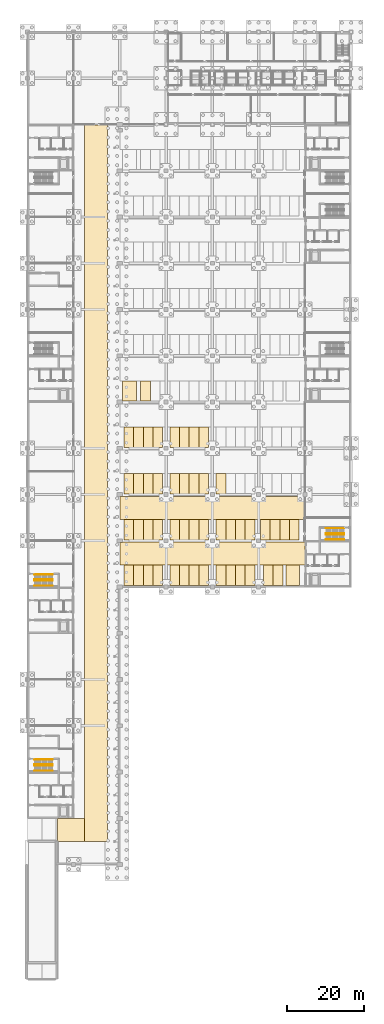
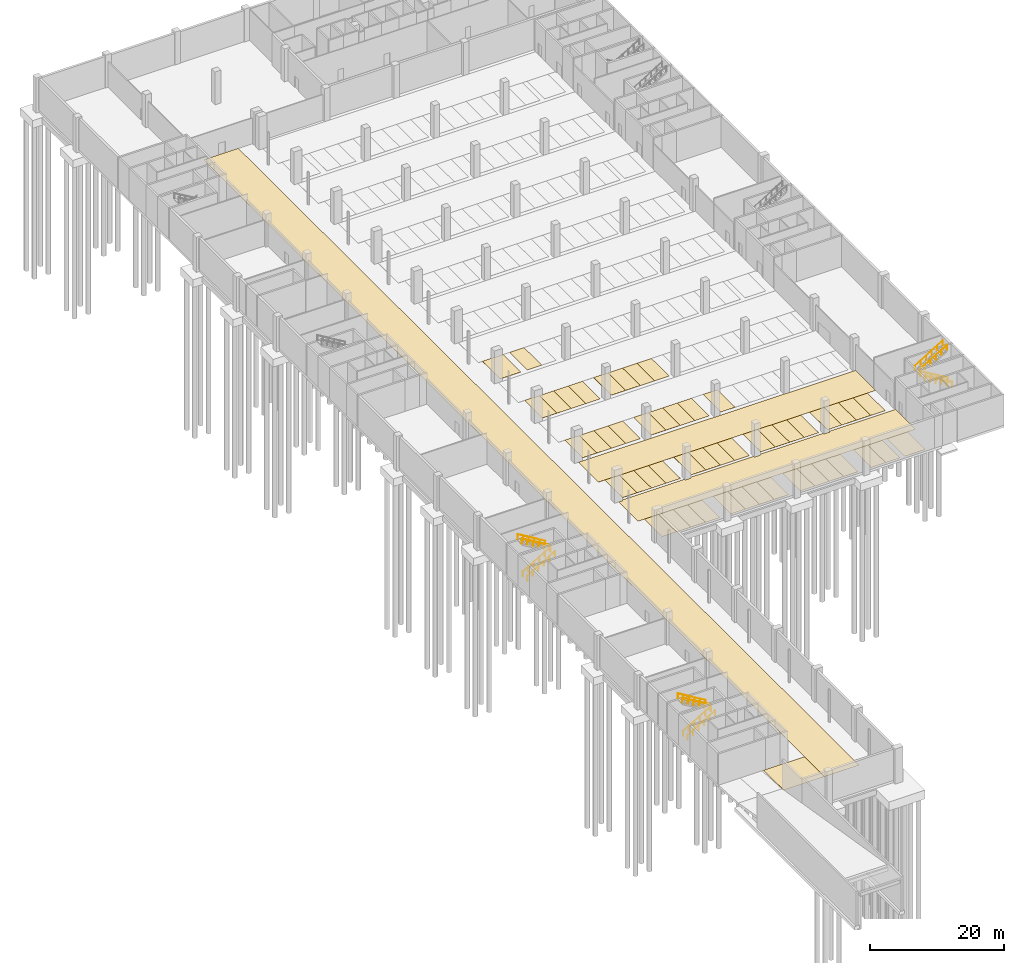
# One storey, part 30 of 34: 54 coverings, 12 railings.
"""IFC4 building model written with IfcOpenShell, lengths in metres."""

from ifc_helpers import new_model, si_unit, direction, frame, origin, origin_2d, place, context, subcontext, project, spatial, polyline, circle, outline, extrude, material, layer, layer_set, type_object, element, save


model = new_model("IFC4")

# Units and contexts
model_context = context("Model", 3, precision=1e-05, world=origin(), true_north=direction((0.0, 1.0)))
body_context = subcontext(model_context, "Body", "Model", "MODEL_VIEW")
ifc_project = project(units=[si_unit("LENGTHUNIT", "METRE"), si_unit("AREAUNIT", "SQUARE_METRE"), si_unit("VOLUMEUNIT", "CUBIC_METRE"), si_unit("PLANEANGLEUNIT", "RADIAN"), si_unit("MASSUNIT", "GRAM", prefix="KILO")], contexts=[model_context])

# Site, building, storey
site_placement = place(None, origin())
site = spatial("IfcSite", under=ifc_project, at=site_placement, CompositionType="ELEMENT")
building_placement = place(site_placement, origin())
building = spatial("IfcBuilding", under=site, at=building_placement, Name="Lilac Gate Convention Centre", CompositionType="ELEMENT")
storey_placement = place(building_placement, frame((0.0, 0.0, -6.0)))
storey = spatial("IfcBuildingStorey", under=building, at=storey_placement, Name="B1", CompositionType="ELEMENT", Elevation=-6.0)

# Coverings
ifc_material_1 = material(Name="Floor marking paint")
ifc_layer_1 = layer(ifc_material_1, 0.010009765625)
ifc_layer_set_1 = layer_set([ifc_layer_1], Name="Floor marking paint")
covering_type_1 = type_object("IfcCoveringType", Name="Accessible parking bay marking 3600 x 5300", PredefinedType="FLOORING", material=ifc_layer_set_1)
covering_1_placement = place(storey_placement, origin())
element("IfcCovering", 1, at=covering_1_placement, inside=storey, type_object=covering_type_1, Name="Accessible parking bay marking 1", PredefinedType="FLOORING", context=body_context, shape_type="SweptSolid", body=[
    extrude(outline(polyline([(73.050048828125, 102.39990234375), (76.64990234375, 102.39990234375), (76.64990234375, 107.699951171875), (73.050048828125, 107.699951171875), (73.050048828125, 102.39990234375)])), origin(), (0.0, 0.0, 1.0), 0.010009765625),
])
covering_2_placement = place(storey_placement, origin())
element("IfcCovering", 2, at=covering_2_placement, inside=storey, type_object=covering_type_1, Name="Accessible parking bay marking 2", PredefinedType="FLOORING", context=body_context, shape_type="SweptSolid", body=[
    extrude(outline(polyline([(30.699951171875, 150.199951171875), (34.300048828125, 150.199951171875), (34.300048828125, 155.5), (30.699951171875, 155.5), (30.699951171875, 150.199951171875)])), origin(), (0.0, 0.0, 1.0), 0.010009765625),
])
ifc_layer_2 = layer(ifc_material_1, 0.010009765625)
ifc_layer_set_2 = layer_set([ifc_layer_2], Name="Floor marking paint")
covering_type_2 = type_object("IfcCoveringType", Name="Parking bay marking 2500 x 5300", PredefinedType="FLOORING", material=ifc_layer_set_2)
covering_3_placement = place(storey_placement, origin())
element("IfcCovering", 3, at=covering_3_placement, inside=storey, type_object=covering_type_2, Name="Parking bay marking 1", PredefinedType="FLOORING", context=body_context, shape_type="SweptSolid", body=[
    extrude(outline(polyline([(31.10009765625, 102.39990234375), (33.60009765625, 102.39990234375), (33.60009765625, 107.699951171875), (31.10009765625, 107.699951171875), (31.10009765625, 102.39990234375)])), origin(), (0.0, 0.0, 1.0), 0.010009765625),
])
covering_4_placement = place(storey_placement, origin())
element("IfcCovering", 4, at=covering_4_placement, inside=storey, type_object=covering_type_2, Name="Parking bay marking 2", PredefinedType="FLOORING", context=body_context, shape_type="SweptSolid", body=[
    extrude(outline(polyline([(33.60009765625, 102.39990234375), (36.10009765625, 102.39990234375), (36.10009765625, 107.699951171875), (33.60009765625, 107.699951171875), (33.60009765625, 102.39990234375)])), origin(), (0.0, 0.0, 1.0), 0.010009765625),
])
covering_5_placement = place(storey_placement, origin())
element("IfcCovering", 5, at=covering_5_placement, inside=storey, type_object=covering_type_2, Name="Parking bay marking 3", PredefinedType="FLOORING", context=body_context, shape_type="SweptSolid", body=[
    extrude(outline(polyline([(36.10009765625, 102.39990234375), (38.60009765625, 102.39990234375), (38.60009765625, 107.699951171875), (36.10009765625, 107.699951171875), (36.10009765625, 102.39990234375)])), origin(), (0.0, 0.0, 1.0), 0.010009765625),
])
covering_6_placement = place(storey_placement, origin())
element("IfcCovering", 6, at=covering_6_placement, inside=storey, type_object=covering_type_2, Name="Parking bay marking 4", PredefinedType="FLOORING", context=body_context, shape_type="SweptSolid", body=[
    extrude(outline(polyline([(38.60009765625, 102.39990234375), (41.10009765625, 102.39990234375), (41.10009765625, 107.699951171875), (38.60009765625, 107.699951171875), (38.60009765625, 102.39990234375)])), origin(), (0.0, 0.0, 1.0), 0.010009765625),
])
covering_7_placement = place(storey_placement, origin())
element("IfcCovering", 7, at=covering_7_placement, inside=storey, type_object=covering_type_2, Name="Parking bay marking 5", PredefinedType="FLOORING", context=body_context, shape_type="SweptSolid", body=[
    extrude(outline(polyline([(43.0, 102.39990234375), (45.5, 102.39990234375), (45.5, 107.699951171875), (43.0, 107.699951171875), (43.0, 102.39990234375)])), origin(), (0.0, 0.0, 1.0), 0.010009765625),
])
covering_8_placement = place(storey_placement, origin())
element("IfcCovering", 8, at=covering_8_placement, inside=storey, type_object=covering_type_2, Name="Parking bay marking 6", PredefinedType="FLOORING", context=body_context, shape_type="SweptSolid", body=[
    extrude(outline(polyline([(45.5, 102.39990234375), (48.0, 102.39990234375), (48.0, 107.699951171875), (45.5, 107.699951171875), (45.5, 102.39990234375)])), origin(), (0.0, 0.0, 1.0), 0.010009765625),
])
covering_9_placement = place(storey_placement, origin())
element("IfcCovering", 9, at=covering_9_placement, inside=storey, type_object=covering_type_2, Name="Parking bay marking 7", PredefinedType="FLOORING", context=body_context, shape_type="SweptSolid", body=[
    extrude(outline(polyline([(48.0, 102.39990234375), (50.5, 102.39990234375), (50.5, 107.699951171875), (48.0, 107.699951171875), (48.0, 102.39990234375)])), origin(), (0.0, 0.0, 1.0), 0.010009765625),
])
covering_10_placement = place(storey_placement, origin())
element("IfcCovering", 10, at=covering_10_placement, inside=storey, type_object=covering_type_2, Name="Parking bay marking 8", PredefinedType="FLOORING", context=body_context, shape_type="SweptSolid", body=[
    extrude(outline(polyline([(50.5, 102.39990234375), (53.0, 102.39990234375), (53.0, 107.699951171875), (50.5, 107.699951171875), (50.5, 102.39990234375)])), origin(), (0.0, 0.0, 1.0), 0.010009765625),
])
covering_11_placement = place(storey_placement, origin())
element("IfcCovering", 11, at=covering_11_placement, inside=storey, type_object=covering_type_2, Name="Parking bay marking 9", PredefinedType="FLOORING", context=body_context, shape_type="SweptSolid", body=[
    extrude(outline(polyline([(55.0, 102.39990234375), (57.5, 102.39990234375), (57.5, 107.699951171875), (55.0, 107.699951171875), (55.0, 102.39990234375)])), origin(), (0.0, 0.0, 1.0), 0.010009765625),
])
covering_12_placement = place(storey_placement, origin())
element("IfcCovering", 12, at=covering_12_placement, inside=storey, type_object=covering_type_2, Name="Parking bay marking 10", PredefinedType="FLOORING", context=body_context, shape_type="SweptSolid", body=[
    extrude(outline(polyline([(57.5, 102.39990234375), (60.0, 102.39990234375), (60.0, 107.699951171875), (57.5, 107.699951171875), (57.5, 102.39990234375)])), origin(), (0.0, 0.0, 1.0), 0.010009765625),
])
covering_13_placement = place(storey_placement, origin())
element("IfcCovering", 13, at=covering_13_placement, inside=storey, type_object=covering_type_2, Name="Parking bay marking 11", PredefinedType="FLOORING", context=body_context, shape_type="SweptSolid", body=[
    extrude(outline(polyline([(60.0, 102.39990234375), (62.5, 102.39990234375), (62.5, 107.699951171875), (60.0, 107.699951171875), (60.0, 102.39990234375)])), origin(), (0.0, 0.0, 1.0), 0.010009765625),
])
covering_14_placement = place(storey_placement, origin())
element("IfcCovering", 14, at=covering_14_placement, inside=storey, type_object=covering_type_2, Name="Parking bay marking 12", PredefinedType="FLOORING", context=body_context, shape_type="SweptSolid", body=[
    extrude(outline(polyline([(62.5, 102.39990234375), (65.0, 102.39990234375), (65.0, 107.699951171875), (62.5, 107.699951171875), (62.5, 102.39990234375)])), origin(), (0.0, 0.0, 1.0), 0.010009765625),
])
covering_15_placement = place(storey_placement, origin())
element("IfcCovering", 15, at=covering_15_placement, inside=storey, type_object=covering_type_2, Name="Parking bay marking 13", PredefinedType="FLOORING", context=body_context, shape_type="SweptSolid", body=[
    extrude(outline(polyline([(67.27490234375, 102.39990234375), (69.77490234375, 102.39990234375), (69.77490234375, 107.699951171875), (67.27490234375, 107.699951171875), (67.27490234375, 102.39990234375)])), origin(), (0.0, 0.0, 1.0), 0.010009765625),
])
covering_16_placement = place(storey_placement, origin())
element("IfcCovering", 16, at=covering_16_placement, inside=storey, type_object=covering_type_2, Name="Parking bay marking 14", PredefinedType="FLOORING", context=body_context, shape_type="SweptSolid", body=[
    extrude(outline(polyline([(69.77490234375, 102.39990234375), (72.27490234375, 102.39990234375), (72.27490234375, 107.699951171875), (69.77490234375, 107.699951171875), (69.77490234375, 102.39990234375)])), origin(), (0.0, 0.0, 1.0), 0.010009765625),
])
covering_17_placement = place(storey_placement, origin())
element("IfcCovering", 17, at=covering_17_placement, inside=storey, type_object=covering_type_2, Name="Parking bay marking 15", PredefinedType="FLOORING", context=body_context, shape_type="SweptSolid", body=[
    extrude(outline(polyline([(31.10009765625, 114.199951171875), (33.60009765625, 114.199951171875), (33.60009765625, 119.5), (31.10009765625, 119.5), (31.10009765625, 114.199951171875)])), origin(), (0.0, 0.0, 1.0), 0.010009765625),
])
covering_18_placement = place(storey_placement, origin())
element("IfcCovering", 18, at=covering_18_placement, inside=storey, type_object=covering_type_2, Name="Parking bay marking 16", PredefinedType="FLOORING", context=body_context, shape_type="SweptSolid", body=[
    extrude(outline(polyline([(33.60009765625, 114.199951171875), (36.10009765625, 114.199951171875), (36.10009765625, 119.5), (33.60009765625, 119.5), (33.60009765625, 114.199951171875)])), origin(), (0.0, 0.0, 1.0), 0.010009765625),
])
covering_19_placement = place(storey_placement, origin())
element("IfcCovering", 19, at=covering_19_placement, inside=storey, type_object=covering_type_2, Name="Parking bay marking 17", PredefinedType="FLOORING", context=body_context, shape_type="SweptSolid", body=[
    extrude(outline(polyline([(36.10009765625, 114.199951171875), (38.60009765625, 114.199951171875), (38.60009765625, 119.5), (36.10009765625, 119.5), (36.10009765625, 114.199951171875)])), origin(), (0.0, 0.0, 1.0), 0.010009765625),
])
covering_20_placement = place(storey_placement, origin())
element("IfcCovering", 20, at=covering_20_placement, inside=storey, type_object=covering_type_2, Name="Parking bay marking 18", PredefinedType="FLOORING", context=body_context, shape_type="SweptSolid", body=[
    extrude(outline(polyline([(38.60009765625, 114.199951171875), (41.10009765625, 114.199951171875), (41.10009765625, 119.5), (38.60009765625, 119.5), (38.60009765625, 114.199951171875)])), origin(), (0.0, 0.0, 1.0), 0.010009765625),
])
covering_21_placement = place(storey_placement, origin())
element("IfcCovering", 21, at=covering_21_placement, inside=storey, type_object=covering_type_2, Name="Parking bay marking 19", PredefinedType="FLOORING", context=body_context, shape_type="SweptSolid", body=[
    extrude(outline(polyline([(43.0, 114.199951171875), (45.5, 114.199951171875), (45.5, 119.5), (43.0, 119.5), (43.0, 114.199951171875)])), origin(), (0.0, 0.0, 1.0), 0.010009765625),
])
covering_22_placement = place(storey_placement, origin())
element("IfcCovering", 22, at=covering_22_placement, inside=storey, type_object=covering_type_2, Name="Parking bay marking 20", PredefinedType="FLOORING", context=body_context, shape_type="SweptSolid", body=[
    extrude(outline(polyline([(45.5, 114.199951171875), (48.0, 114.199951171875), (48.0, 119.5), (45.5, 119.5), (45.5, 114.199951171875)])), origin(), (0.0, 0.0, 1.0), 0.010009765625),
])
covering_23_placement = place(storey_placement, origin())
element("IfcCovering", 23, at=covering_23_placement, inside=storey, type_object=covering_type_2, Name="Parking bay marking 21", PredefinedType="FLOORING", context=body_context, shape_type="SweptSolid", body=[
    extrude(outline(polyline([(48.0, 114.199951171875), (50.5, 114.199951171875), (50.5, 119.5), (48.0, 119.5), (48.0, 114.199951171875)])), origin(), (0.0, 0.0, 1.0), 0.010009765625),
])
covering_24_placement = place(storey_placement, origin())
element("IfcCovering", 24, at=covering_24_placement, inside=storey, type_object=covering_type_2, Name="Parking bay marking 22", PredefinedType="FLOORING", context=body_context, shape_type="SweptSolid", body=[
    extrude(outline(polyline([(50.5, 114.199951171875), (53.0, 114.199951171875), (53.0, 119.5), (50.5, 119.5), (50.5, 114.199951171875)])), origin(), (0.0, 0.0, 1.0), 0.010009765625),
])
covering_25_placement = place(storey_placement, origin())
element("IfcCovering", 25, at=covering_25_placement, inside=storey, type_object=covering_type_2, Name="Parking bay marking 23", PredefinedType="FLOORING", context=body_context, shape_type="SweptSolid", body=[
    extrude(outline(polyline([(55.0, 114.199951171875), (57.5, 114.199951171875), (57.5, 119.5), (55.0, 119.5), (55.0, 114.199951171875)])), origin(), (0.0, 0.0, 1.0), 0.010009765625),
])
covering_26_placement = place(storey_placement, origin())
element("IfcCovering", 26, at=covering_26_placement, inside=storey, type_object=covering_type_2, Name="Parking bay marking 24", PredefinedType="FLOORING", context=body_context, shape_type="SweptSolid", body=[
    extrude(outline(polyline([(57.5, 114.199951171875), (60.0, 114.199951171875), (60.0, 119.5), (57.5, 119.5), (57.5, 114.199951171875)])), origin(), (0.0, 0.0, 1.0), 0.010009765625),
])
covering_27_placement = place(storey_placement, origin())
element("IfcCovering", 27, at=covering_27_placement, inside=storey, type_object=covering_type_2, Name="Parking bay marking 25", PredefinedType="FLOORING", context=body_context, shape_type="SweptSolid", body=[
    extrude(outline(polyline([(60.0, 114.199951171875), (62.5, 114.199951171875), (62.5, 119.5), (60.0, 119.5), (60.0, 114.199951171875)])), origin(), (0.0, 0.0, 1.0), 0.010009765625),
])
covering_28_placement = place(storey_placement, origin())
element("IfcCovering", 28, at=covering_28_placement, inside=storey, type_object=covering_type_2, Name="Parking bay marking 26", PredefinedType="FLOORING", context=body_context, shape_type="SweptSolid", body=[
    extrude(outline(polyline([(62.5, 114.199951171875), (65.0, 114.199951171875), (65.0, 119.5), (62.5, 119.5), (62.5, 114.199951171875)])), origin(), (0.0, 0.0, 1.0), 0.010009765625),
])
covering_29_placement = place(storey_placement, origin())
element("IfcCovering", 29, at=covering_29_placement, inside=storey, type_object=covering_type_2, Name="Parking bay marking 27", PredefinedType="FLOORING", context=body_context, shape_type="SweptSolid", body=[
    extrude(outline(polyline([(66.5, 114.199951171875), (69.0, 114.199951171875), (69.0, 119.5), (66.5, 119.5), (66.5, 114.199951171875)])), origin(), (0.0, 0.0, 1.0), 0.010009765625),
])
covering_30_placement = place(storey_placement, origin())
element("IfcCovering", 30, at=covering_30_placement, inside=storey, type_object=covering_type_2, Name="Parking bay marking 28", PredefinedType="FLOORING", context=body_context, shape_type="SweptSolid", body=[
    extrude(outline(polyline([(69.0, 114.199951171875), (71.5, 114.199951171875), (71.5, 119.5), (69.0, 119.5), (69.0, 114.199951171875)])), origin(), (0.0, 0.0, 1.0), 0.010009765625),
])
covering_31_placement = place(storey_placement, origin())
element("IfcCovering", 31, at=covering_31_placement, inside=storey, type_object=covering_type_2, Name="Parking bay marking 29", PredefinedType="FLOORING", context=body_context, shape_type="SweptSolid", body=[
    extrude(outline(polyline([(71.5, 114.199951171875), (74.0, 114.199951171875), (74.0, 119.5), (71.5, 119.5), (71.5, 114.199951171875)])), origin(), (0.0, 0.0, 1.0), 0.010009765625),
])
covering_32_placement = place(storey_placement, origin())
element("IfcCovering", 32, at=covering_32_placement, inside=storey, type_object=covering_type_2, Name="Parking bay marking 30", PredefinedType="FLOORING", context=body_context, shape_type="SweptSolid", body=[
    extrude(outline(polyline([(74.0, 114.199951171875), (76.5, 114.199951171875), (76.5, 119.5), (74.0, 119.5), (74.0, 114.199951171875)])), origin(), (0.0, 0.0, 1.0), 0.010009765625),
])
covering_33_placement = place(storey_placement, origin())
element("IfcCovering", 33, at=covering_33_placement, inside=storey, type_object=covering_type_2, Name="Parking bay marking 31", PredefinedType="FLOORING", context=body_context, shape_type="SweptSolid", body=[
    extrude(outline(polyline([(31.10009765625, 126.199951171875), (33.60009765625, 126.199951171875), (33.60009765625, 131.5), (31.10009765625, 131.5), (31.10009765625, 126.199951171875)])), origin(), (0.0, 0.0, 1.0), 0.010009765625),
])
covering_34_placement = place(storey_placement, origin())
element("IfcCovering", 34, at=covering_34_placement, inside=storey, type_object=covering_type_2, Name="Parking bay marking 32", PredefinedType="FLOORING", context=body_context, shape_type="SweptSolid", body=[
    extrude(outline(polyline([(33.60009765625, 126.199951171875), (36.10009765625, 126.199951171875), (36.10009765625, 131.5), (33.60009765625, 131.5), (33.60009765625, 126.199951171875)])), origin(), (0.0, 0.0, 1.0), 0.010009765625),
])
covering_35_placement = place(storey_placement, origin())
element("IfcCovering", 35, at=covering_35_placement, inside=storey, type_object=covering_type_2, Name="Parking bay marking 33", PredefinedType="FLOORING", context=body_context, shape_type="SweptSolid", body=[
    extrude(outline(polyline([(36.10009765625, 126.199951171875), (38.60009765625, 126.199951171875), (38.60009765625, 131.5), (36.10009765625, 131.5), (36.10009765625, 126.199951171875)])), origin(), (0.0, 0.0, 1.0), 0.010009765625),
])
covering_36_placement = place(storey_placement, origin())
element("IfcCovering", 36, at=covering_36_placement, inside=storey, type_object=covering_type_2, Name="Parking bay marking 34", PredefinedType="FLOORING", context=body_context, shape_type="SweptSolid", body=[
    extrude(outline(polyline([(38.60009765625, 126.199951171875), (41.10009765625, 126.199951171875), (41.10009765625, 131.5), (38.60009765625, 131.5), (38.60009765625, 126.199951171875)])), origin(), (0.0, 0.0, 1.0), 0.010009765625),
])
covering_37_placement = place(storey_placement, origin())
element("IfcCovering", 37, at=covering_37_placement, inside=storey, type_object=covering_type_2, Name="Parking bay marking 35", PredefinedType="FLOORING", context=body_context, shape_type="SweptSolid", body=[
    extrude(outline(polyline([(43.0, 126.199951171875), (45.5, 126.199951171875), (45.5, 131.5), (43.0, 131.5), (43.0, 126.199951171875)])), origin(), (0.0, 0.0, 1.0), 0.010009765625),
])
covering_38_placement = place(storey_placement, origin())
element("IfcCovering", 38, at=covering_38_placement, inside=storey, type_object=covering_type_2, Name="Parking bay marking 36", PredefinedType="FLOORING", context=body_context, shape_type="SweptSolid", body=[
    extrude(outline(polyline([(45.5, 126.199951171875), (48.0, 126.199951171875), (48.0, 131.5), (45.5, 131.5), (45.5, 126.199951171875)])), origin(), (0.0, 0.0, 1.0), 0.010009765625),
])
covering_39_placement = place(storey_placement, origin())
element("IfcCovering", 39, at=covering_39_placement, inside=storey, type_object=covering_type_2, Name="Parking bay marking 37", PredefinedType="FLOORING", context=body_context, shape_type="SweptSolid", body=[
    extrude(outline(polyline([(48.0, 126.199951171875), (50.5, 126.199951171875), (50.5, 131.5), (48.0, 131.5), (48.0, 126.199951171875)])), origin(), (0.0, 0.0, 1.0), 0.010009765625),
])
covering_40_placement = place(storey_placement, origin())
element("IfcCovering", 40, at=covering_40_placement, inside=storey, type_object=covering_type_2, Name="Parking bay marking 38", PredefinedType="FLOORING", context=body_context, shape_type="SweptSolid", body=[
    extrude(outline(polyline([(50.5, 126.199951171875), (53.0, 126.199951171875), (53.0, 131.5), (50.5, 131.5), (50.5, 126.199951171875)])), origin(), (0.0, 0.0, 1.0), 0.010009765625),
])
covering_41_placement = place(storey_placement, origin())
element("IfcCovering", 41, at=covering_41_placement, inside=storey, type_object=covering_type_2, Name="Parking bay marking 39", PredefinedType="FLOORING", context=body_context, shape_type="SweptSolid", body=[
    extrude(outline(polyline([(55.0, 126.199951171875), (57.5, 126.199951171875), (57.5, 131.5), (55.0, 131.5), (55.0, 126.199951171875)])), origin(), (0.0, 0.0, 1.0), 0.010009765625),
])
covering_42_placement = place(storey_placement, origin())
element("IfcCovering", 42, at=covering_42_placement, inside=storey, type_object=covering_type_2, Name="Parking bay marking 47", PredefinedType="FLOORING", context=body_context, shape_type="SweptSolid", body=[
    extrude(outline(polyline([(31.10009765625, 138.199951171875), (33.60009765625, 138.199951171875), (33.60009765625, 143.5), (31.10009765625, 143.5), (31.10009765625, 138.199951171875)])), origin(), (0.0, 0.0, 1.0), 0.010009765625),
])
covering_43_placement = place(storey_placement, origin())
element("IfcCovering", 43, at=covering_43_placement, inside=storey, type_object=covering_type_2, Name="Parking bay marking 48", PredefinedType="FLOORING", context=body_context, shape_type="SweptSolid", body=[
    extrude(outline(polyline([(33.60009765625, 138.199951171875), (36.10009765625, 138.199951171875), (36.10009765625, 143.5), (33.60009765625, 143.5), (33.60009765625, 138.199951171875)])), origin(), (0.0, 0.0, 1.0), 0.010009765625),
])
covering_44_placement = place(storey_placement, origin())
element("IfcCovering", 44, at=covering_44_placement, inside=storey, type_object=covering_type_2, Name="Parking bay marking 49", PredefinedType="FLOORING", context=body_context, shape_type="SweptSolid", body=[
    extrude(outline(polyline([(36.10009765625, 138.199951171875), (38.60009765625, 138.199951171875), (38.60009765625, 143.5), (36.10009765625, 143.5), (36.10009765625, 138.199951171875)])), origin(), (0.0, 0.0, 1.0), 0.010009765625),
])
covering_45_placement = place(storey_placement, origin())
element("IfcCovering", 45, at=covering_45_placement, inside=storey, type_object=covering_type_2, Name="Parking bay marking 50", PredefinedType="FLOORING", context=body_context, shape_type="SweptSolid", body=[
    extrude(outline(polyline([(38.60009765625, 138.199951171875), (41.10009765625, 138.199951171875), (41.10009765625, 143.5), (38.60009765625, 143.5), (38.60009765625, 138.199951171875)])), origin(), (0.0, 0.0, 1.0), 0.010009765625),
])
covering_46_placement = place(storey_placement, origin())
element("IfcCovering", 46, at=covering_46_placement, inside=storey, type_object=covering_type_2, Name="Parking bay marking 51", PredefinedType="FLOORING", context=body_context, shape_type="SweptSolid", body=[
    extrude(outline(polyline([(43.0, 138.199951171875), (45.5, 138.199951171875), (45.5, 143.5), (43.0, 143.5), (43.0, 138.199951171875)])), origin(), (0.0, 0.0, 1.0), 0.010009765625),
])
covering_47_placement = place(storey_placement, origin())
element("IfcCovering", 47, at=covering_47_placement, inside=storey, type_object=covering_type_2, Name="Parking bay marking 52", PredefinedType="FLOORING", context=body_context, shape_type="SweptSolid", body=[
    extrude(outline(polyline([(45.5, 138.199951171875), (48.0, 138.199951171875), (48.0, 143.5), (45.5, 143.5), (45.5, 138.199951171875)])), origin(), (0.0, 0.0, 1.0), 0.010009765625),
])
covering_48_placement = place(storey_placement, origin())
element("IfcCovering", 48, at=covering_48_placement, inside=storey, type_object=covering_type_2, Name="Parking bay marking 53", PredefinedType="FLOORING", context=body_context, shape_type="SweptSolid", body=[
    extrude(outline(polyline([(48.0, 138.199951171875), (50.5, 138.199951171875), (50.5, 143.5), (48.0, 143.5), (48.0, 138.199951171875)])), origin(), (0.0, 0.0, 1.0), 0.010009765625),
])
covering_49_placement = place(storey_placement, origin())
element("IfcCovering", 49, at=covering_49_placement, inside=storey, type_object=covering_type_2, Name="Parking bay marking 54", PredefinedType="FLOORING", context=body_context, shape_type="SweptSolid", body=[
    extrude(outline(polyline([(50.5, 138.199951171875), (53.0, 138.199951171875), (53.0, 143.5), (50.5, 143.5), (50.5, 138.199951171875)])), origin(), (0.0, 0.0, 1.0), 0.010009765625),
])
covering_50_placement = place(storey_placement, origin())
element("IfcCovering", 50, at=covering_50_placement, inside=storey, type_object=covering_type_2, Name="Parking bay marking 63", PredefinedType="FLOORING", context=body_context, shape_type="SweptSolid", body=[
    extrude(outline(polyline([(35.39990234375, 150.199951171875), (37.89990234375, 150.199951171875), (37.89990234375, 155.5), (35.39990234375, 155.5), (35.39990234375, 150.199951171875)])), origin(), (0.0, 0.0, 1.0), 0.010009765625),
])
ifc_layer_3 = layer(ifc_material_1, 0.010009765625)
ifc_layer_set_3 = layer_set([ifc_layer_3], Name="Floor marking paint")
covering_type_3 = type_object("IfcCoveringType", Name="Parking drive aisle marking 6000", PredefinedType="FLOORING", material=ifc_layer_set_3)
covering_51_placement = place(storey_placement, origin())
element("IfcCovering", 51, at=covering_51_placement, inside=storey, type_object=covering_type_3, Name="Parking drive aisle 1", PredefinedType="FLOORING", context=body_context, shape_type="SweptSolid", body=[
    extrude(outline(polyline([(30.0, 107.699951171875), (30.0, 113.5), (30.699951171875, 113.5), (30.699951171875, 113.699951171875), (41.5, 113.699951171875), (41.5, 113.5), (42.5, 113.5), (42.5, 113.699951171875), (53.5, 113.699951171875), (53.5, 113.5), (54.5, 113.5), (54.5, 113.699951171875), (65.5, 113.699951171875), (65.5, 113.5), (66.5, 113.5), (66.5, 113.699951171875), (78.0, 113.699951171875), (78.0, 107.699951171875), (30.0, 107.699951171875)])), origin(), (0.0, 0.0, 1.0), 0.010009765625),
])
covering_52_placement = place(storey_placement, origin())
element("IfcCovering", 52, at=covering_52_placement, inside=storey, type_object=covering_type_3, Name="Parking drive aisle 2", PredefinedType="FLOORING", context=body_context, shape_type="SweptSolid", body=[
    extrude(outline(polyline([(30.0, 119.5), (30.0, 125.5), (77.925048828125, 125.5), (77.925048828125, 119.89990234375), (77.89990234375, 119.89990234375), (77.89990234375, 119.5), (30.0, 119.5)])), origin(), (0.0, 0.0, 1.0), 0.010009765625),
])
covering_53_placement = place(storey_placement, origin())
element("IfcCovering", 53, at=covering_53_placement, inside=storey, type_object=covering_type_3, Name="Parking drive aisle 11", PredefinedType="FLOORING", context=body_context, shape_type="SweptSolid", body=[
    extrude(outline(polyline([(20.85009765625, 36.0), (20.85009765625, 221.925048828125), (26.85009765625, 221.925048828125), (26.85009765625, 36.0), (20.85009765625, 36.0)])), origin(), (0.0, 0.0, 1.0), 0.010009765625),
])
covering_54_placement = place(storey_placement, origin())
element("IfcCovering", 54, at=covering_54_placement, inside=storey, type_object=covering_type_3, Name="Parking drive aisle 12", PredefinedType="FLOORING", context=body_context, shape_type="SweptSolid", body=[
    extrude(outline(polyline([(20.85009765625, 36.0), (13.800048828125, 36.0), (13.800048828125, 42.0), (20.85009765625, 42.0), (20.85009765625, 36.0)])), origin(), (0.0, 0.0, 1.0), 0.010009765625),
])

# Railings
ifc_material_2 = material(Name="Stainless steel 304", Category="steel")
railing_type = type_object("IfcRailingType", Name="Stair handrail 900", PredefinedType="HANDRAIL", material=ifc_material_2)
for number, where, name in (
    (55, (7.800048828125, 54.35009765625, 0.166748046875), "Stair handrail BW1"),
    (56, (7.800048828125, 55.64990234375, 0.166748046875), "Stair handrail BW1"),
):
    element("IfcRailing", number, at=place(storey_placement, frame(where)), inside=storey, type_object=railing_type, Name=name, PredefinedType="HANDRAIL", context=body_context, shape_type="SweptSolid", body=[
        extrude(circle(Radius=0.02392578125, at=origin_2d()), frame((0.0, 0.0, 0.8759765625), z_axis=(0.859299802514, 0.0, 0.511472237174), x_axis=(0.0, 1.0, 0.0)), (0.0, 0.0, 1.0), 5.539306640625),
        extrude(circle(Radius=0.02099609375, at=origin_2d()), origin(), (0.0, 0.0, 1.0), 0.851806640625),
        extrude(circle(Radius=0.02099609375, at=origin_2d()), frame((0.951904296875, 0.0, 0.566650390625)), (0.0, 0.0, 1.0), 0.851806640625),
        extrude(circle(Radius=0.02099609375, at=origin_2d()), frame((1.904052734375, 0.0, 1.13330078125)), (0.0, 0.0, 1.0), 0.851806640625),
        extrude(circle(Radius=0.02099609375, at=origin_2d()), frame((2.85595703125, 0.0, 1.699951171875)), (0.0, 0.0, 1.0), 0.851806640625),
        extrude(circle(Radius=0.02099609375, at=origin_2d()), frame((3.80810546875, 0.0, 2.2666015625)), (0.0, 0.0, 1.0), 0.851806640625),
        extrude(circle(Radius=0.02099609375, at=origin_2d()), frame((4.760009765625, 0.0, 2.833251953125)), (0.0, 0.0, 1.0), 0.851806640625),
    ])
for number, where, name in (
    (57, (12.56005859375, 55.949951171875, 3.166748046875), "Stair handrail BW1"),
    (58, (12.56005859375, 57.25, 3.166748046875), "Stair handrail BW1"),
):
    element("IfcRailing", number, at=place(storey_placement, frame(where)), inside=storey, type_object=railing_type, Name=name, PredefinedType="HANDRAIL", context=body_context, shape_type="SweptSolid", body=[
        extrude(circle(Radius=0.02392578125, at=origin_2d()), frame((0.0, 0.0, 0.8759765625), z_axis=(-0.859299802514, 0.0, 0.511472237174), x_axis=(0.0, -1.0, 0.0)), (0.0, 0.0, 1.0), 5.539306640625),
        extrude(circle(Radius=0.02099609375, at=origin_2d()), origin(), (0.0, 0.0, 1.0), 0.851806640625),
        extrude(circle(Radius=0.02099609375, at=origin_2d()), frame((-0.951904296875, 0.0, 0.566650390625)), (0.0, 0.0, 1.0), 0.851806640625),
        extrude(circle(Radius=0.02099609375, at=origin_2d()), frame((-1.904052734375, 0.0, 1.13330078125)), (0.0, 0.0, 1.0), 0.851806640625),
        extrude(circle(Radius=0.02099609375, at=origin_2d()), frame((-2.85595703125, 0.0, 1.699951171875)), (0.0, 0.0, 1.0), 0.851806640625),
        extrude(circle(Radius=0.02099609375, at=origin_2d()), frame((-3.80810546875, 0.0, 2.2666015625)), (0.0, 0.0, 1.0), 0.851806640625),
        extrude(circle(Radius=0.02099609375, at=origin_2d()), frame((-4.760009765625, 0.0, 2.833251953125)), (0.0, 0.0, 1.0), 0.851806640625),
    ])
for number, where, name in (
    (59, (7.800048828125, 102.35009765625, 0.166748046875), "Stair handrail BW2"),
    (60, (7.800048828125, 103.64990234375, 0.166748046875), "Stair handrail BW2"),
):
    element("IfcRailing", number, at=place(storey_placement, frame(where)), inside=storey, type_object=railing_type, Name=name, PredefinedType="HANDRAIL", context=body_context, shape_type="SweptSolid", body=[
        extrude(circle(Radius=0.02392578125, at=origin_2d()), frame((0.0, 0.0, 0.8759765625), z_axis=(0.859299802514, 0.0, 0.511472237174), x_axis=(0.0, 1.0, 0.0)), (0.0, 0.0, 1.0), 5.539306640625),
        extrude(circle(Radius=0.02099609375, at=origin_2d()), origin(), (0.0, 0.0, 1.0), 0.851806640625),
        extrude(circle(Radius=0.02099609375, at=origin_2d()), frame((0.951904296875, 0.0, 0.566650390625)), (0.0, 0.0, 1.0), 0.851806640625),
        extrude(circle(Radius=0.02099609375, at=origin_2d()), frame((1.904052734375, 0.0, 1.13330078125)), (0.0, 0.0, 1.0), 0.851806640625),
        extrude(circle(Radius=0.02099609375, at=origin_2d()), frame((2.85595703125, 0.0, 1.699951171875)), (0.0, 0.0, 1.0), 0.851806640625),
        extrude(circle(Radius=0.02099609375, at=origin_2d()), frame((3.80810546875, 0.0, 2.2666015625)), (0.0, 0.0, 1.0), 0.851806640625),
        extrude(circle(Radius=0.02099609375, at=origin_2d()), frame((4.760009765625, 0.0, 2.833251953125)), (0.0, 0.0, 1.0), 0.851806640625),
    ])
for number, where, name in (
    (61, (12.56005859375, 103.949951171875, 3.166748046875), "Stair handrail BW2"),
    (62, (12.56005859375, 105.25, 3.166748046875), "Stair handrail BW2"),
    (63, (88.199951171875, 114.35009765625, 0.166748046875), "Stair handrail BE1"),
    (64, (88.199951171875, 115.64990234375, 0.166748046875), "Stair handrail BE1"),
):
    element("IfcRailing", number, at=place(storey_placement, frame(where)), inside=storey, type_object=railing_type, Name=name, PredefinedType="HANDRAIL", context=body_context, shape_type="SweptSolid", body=[
        extrude(circle(Radius=0.02392578125, at=origin_2d()), frame((0.0, 0.0, 0.8759765625), z_axis=(-0.859299802514, 0.0, 0.511472237174), x_axis=(0.0, -1.0, 0.0)), (0.0, 0.0, 1.0), 5.539306640625),
        extrude(circle(Radius=0.02099609375, at=origin_2d()), origin(), (0.0, 0.0, 1.0), 0.851806640625),
        extrude(circle(Radius=0.02099609375, at=origin_2d()), frame((-0.951904296875, 0.0, 0.566650390625)), (0.0, 0.0, 1.0), 0.851806640625),
        extrude(circle(Radius=0.02099609375, at=origin_2d()), frame((-1.904052734375, 0.0, 1.13330078125)), (0.0, 0.0, 1.0), 0.851806640625),
        extrude(circle(Radius=0.02099609375, at=origin_2d()), frame((-2.85595703125, 0.0, 1.699951171875)), (0.0, 0.0, 1.0), 0.851806640625),
        extrude(circle(Radius=0.02099609375, at=origin_2d()), frame((-3.80810546875, 0.0, 2.2666015625)), (0.0, 0.0, 1.0), 0.851806640625),
        extrude(circle(Radius=0.02099609375, at=origin_2d()), frame((-4.760009765625, 0.0, 2.833251953125)), (0.0, 0.0, 1.0), 0.851806640625),
    ])
for number, where, name in (
    (65, (83.43994140625, 115.949951171875, 3.166748046875), "Stair handrail BE1"),
    (66, (83.43994140625, 117.25, 3.166748046875), "Stair handrail BE1"),
):
    element("IfcRailing", number, at=place(storey_placement, frame(where)), inside=storey, type_object=railing_type, Name=name, PredefinedType="HANDRAIL", context=body_context, shape_type="SweptSolid", body=[
        extrude(circle(Radius=0.02392578125, at=origin_2d()), frame((0.0, 0.0, 0.8759765625), z_axis=(0.859299802514, 0.0, 0.511472237174), x_axis=(0.0, 1.0, 0.0)), (0.0, 0.0, 1.0), 5.539306640625),
        extrude(circle(Radius=0.02099609375, at=origin_2d()), origin(), (0.0, 0.0, 1.0), 0.851806640625),
        extrude(circle(Radius=0.02099609375, at=origin_2d()), frame((0.951904296875, 0.0, 0.566650390625)), (0.0, 0.0, 1.0), 0.851806640625),
        extrude(circle(Radius=0.02099609375, at=origin_2d()), frame((1.904052734375, 0.0, 1.13330078125)), (0.0, 0.0, 1.0), 0.851806640625),
        extrude(circle(Radius=0.02099609375, at=origin_2d()), frame((2.85595703125, 0.0, 1.699951171875)), (0.0, 0.0, 1.0), 0.851806640625),
        extrude(circle(Radius=0.02099609375, at=origin_2d()), frame((3.80810546875, 0.0, 2.2666015625)), (0.0, 0.0, 1.0), 0.851806640625),
        extrude(circle(Radius=0.02099609375, at=origin_2d()), frame((4.760009765625, 0.0, 2.833251953125)), (0.0, 0.0, 1.0), 0.851806640625),
    ])

save(model, "model.ifc")
